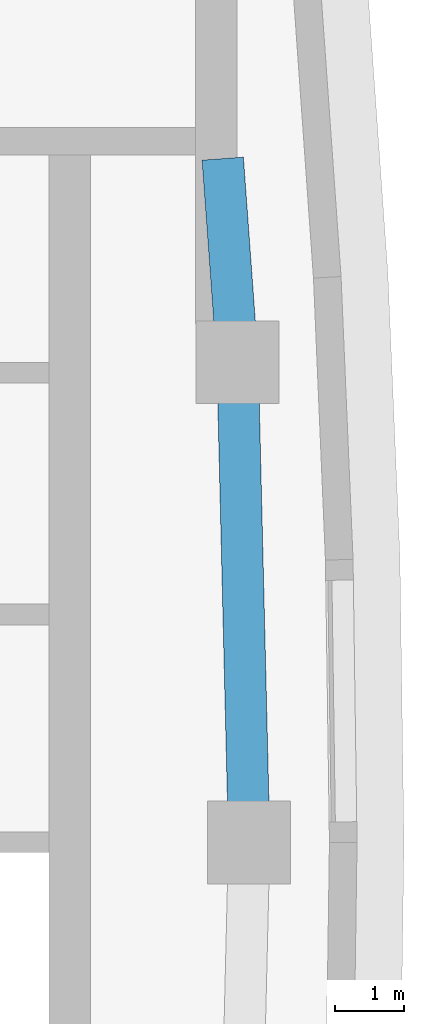
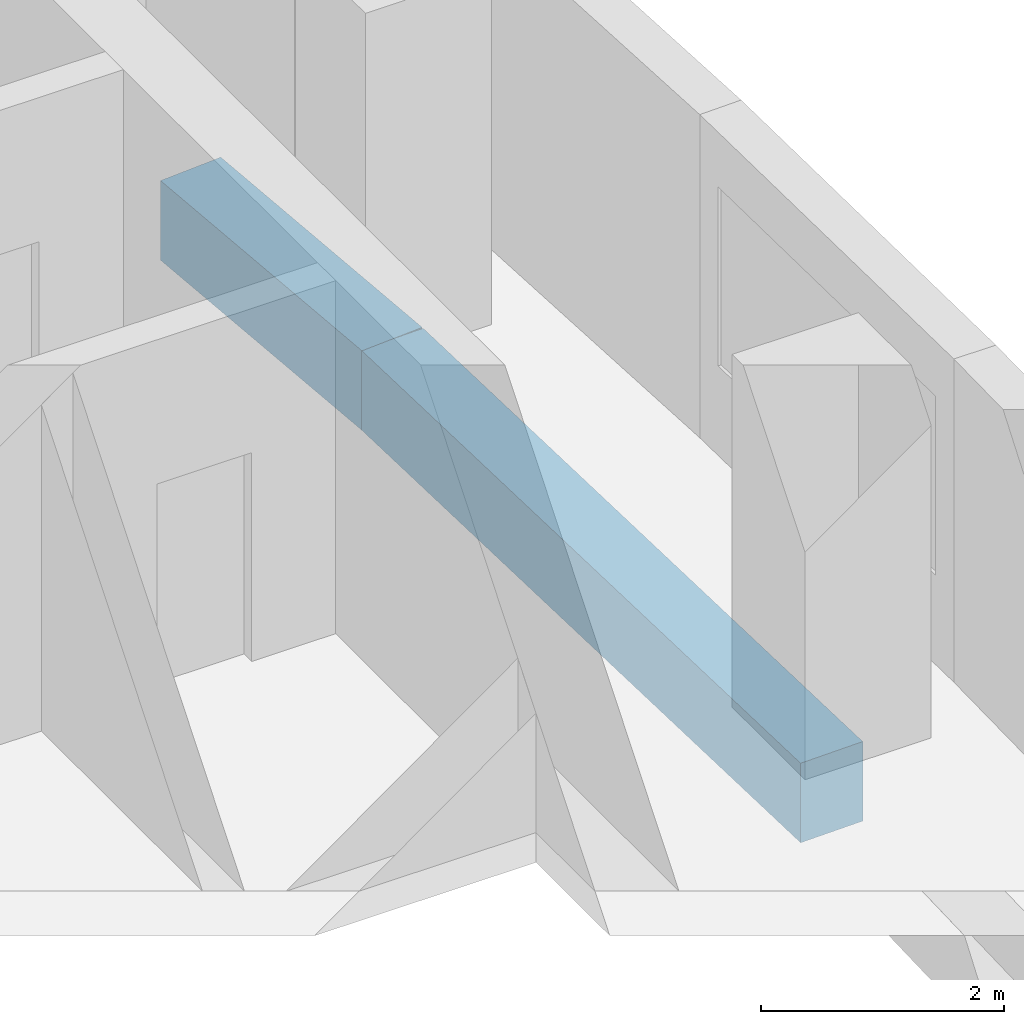
# One storey, part 5 of 15: 2 beams.
"""IFC4 building model written with IfcOpenShell, lengths in metres."""

from ifc_helpers import new_model, si_unit, direction, frame, origin, origin_2d, place, context, subcontext, project, spatial, rectangle, extrude, material, material_profile, profile_set, type_object, element, save


model = new_model("IFC4")

# Units and contexts
model_context = context("Model", 3, precision=1e-05, world=origin(), true_north=direction((0.0, 1.0)))
body_context = subcontext(model_context, "Body", "Model", "MODEL_VIEW")
ifc_project = project(units=[si_unit("LENGTHUNIT", "METRE"), si_unit("AREAUNIT", "SQUARE_METRE"), si_unit("VOLUMEUNIT", "CUBIC_METRE"), si_unit("PLANEANGLEUNIT", "RADIAN"), si_unit("MASSUNIT", "GRAM", prefix="KILO")], contexts=[model_context])

# Site, building, storey
site_placement = place(None, origin())
site = spatial("IfcSite", under=ifc_project, at=site_placement, CompositionType="ELEMENT")
building_placement = place(site_placement, origin())
building = spatial("IfcBuilding", under=site, at=building_placement, Name="Ostrand Prow Hotel Tower", CompositionType="ELEMENT")
storey_placement = place(building_placement, frame((0.0, 0.0, 231.449951171875)))
storey = spatial("IfcBuildingStorey", under=building, at=storey_placement, Name="L58", CompositionType="ELEMENT", Elevation=231.449951171875)

# Beams
ifc_material = material(Name="Concrete C50/60", Category="concrete")
ifc_material_profile = material_profile(ifc_material, rectangle(XDim=0.60009765625, YDim=0.800048828125, at=origin_2d()), Name="RC 600x800")
ifc_profile_set = profile_set([ifc_material_profile], Name="Concrete C50/60")
beam_type = type_object("IfcBeamType", Name="Edge beam 600x800 C50/60", PredefinedType="SPANDREL", material=ifc_profile_set)
beam_1_placement = place(storey_placement, frame((64.5, 0.0, -0.699951171875), z_axis=(-0.024223820991, 0.999706560195, 0.0), x_axis=(-0.999706560195, -0.024223820991, 0.0)))
element("IfcBeam", 1, at=beam_1_placement, inside=storey, type_object=beam_type, Name="Edge beam B3-B4", PredefinedType="SPANDREL", context=body_context, shape_type="SweptSolid", body=[
    extrude(rectangle(XDim=0.60009765625, YDim=0.800048828125, at=origin_2d()), origin(), (0.0, 0.0, 1.0), 6.9541015625),
])
beam_2_placement = place(storey_placement, frame((64.33154296875, 6.9521484375, -0.699951171875), z_axis=(-0.072691068771, 0.997354504938, 0.0), x_axis=(-0.997354504938, -0.072691068771, 0.0)))
element("IfcBeam", 2, at=beam_2_placement, inside=storey, type_object=beam_type, Name="Edge beam B4-B5", PredefinedType="SPANDREL", context=body_context, shape_type="SweptSolid", body=[
    extrude(rectangle(XDim=0.60009765625, YDim=0.800048828125, at=origin_2d()), origin(), (0.0, 0.0, 1.0), 2.95556640625),
])

save(model, "model.ifc")
